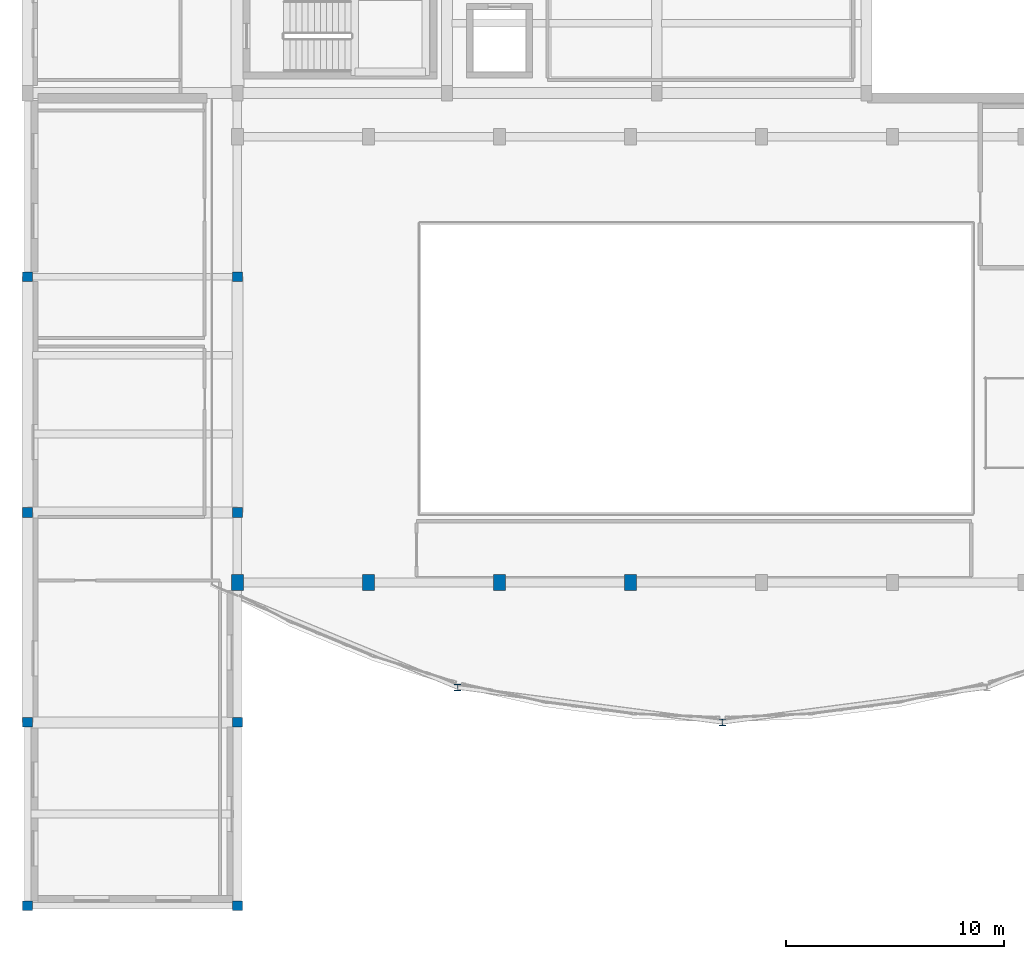
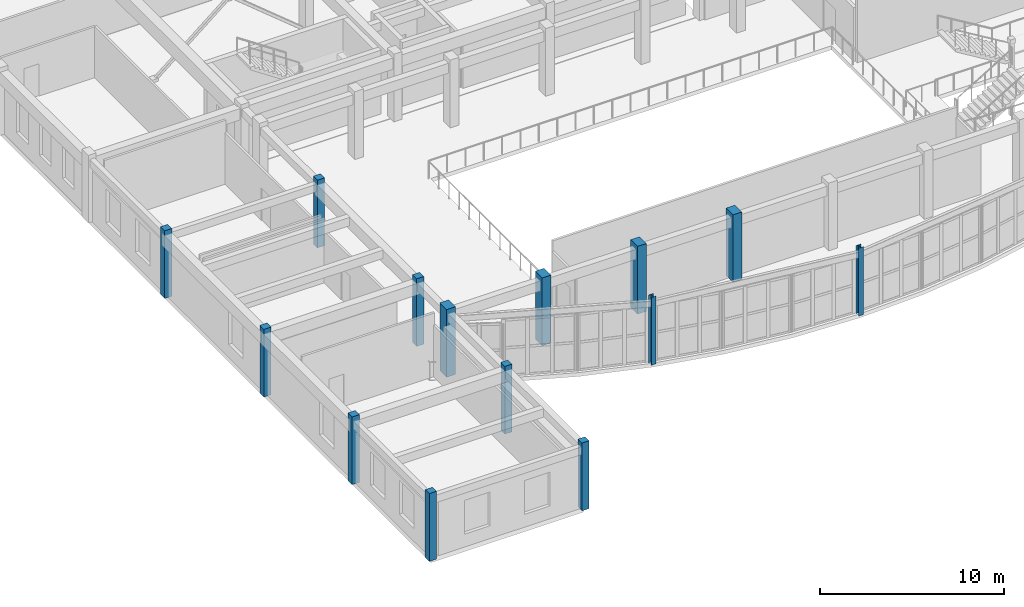
# One storey, part 1 of 92: 14 columns.
"""IFC4 building model written with IfcOpenShell, lengths in metres."""

from ifc_helpers import new_model, si_unit, direction, frame, origin, origin_2d, place, context, subcontext, project, spatial, rectangle, i_section, extrude, material, material_profile, profile_set, type_object, element, save


model = new_model("IFC4")

# Units and contexts
model_context = context("Model", 3, precision=1e-05, world=origin(), true_north=direction((0.0, 1.0)))
body_context = subcontext(model_context, "Body", "Model", "MODEL_VIEW")
ifc_project = project(units=[si_unit("LENGTHUNIT", "METRE"), si_unit("AREAUNIT", "SQUARE_METRE"), si_unit("VOLUMEUNIT", "CUBIC_METRE"), si_unit("PLANEANGLEUNIT", "RADIAN"), si_unit("MASSUNIT", "GRAM", prefix="KILO")], contexts=[model_context])

# Site, building, storey
site_placement = place(None, origin())
site = spatial("IfcSite", under=ifc_project, at=site_placement, CompositionType="ELEMENT")
building_placement = place(site_placement, origin())
building = spatial("IfcBuilding", under=site, at=building_placement, Name="Tarnavel Promenade Courthouse", CompositionType="ELEMENT")
storey_placement = place(building_placement, frame((0.0, 0.0, 5.39990234375)))
storey = spatial("IfcBuildingStorey", under=building, at=storey_placement, Name="L02", CompositionType="ELEMENT", Elevation=5.39990234375)

# Columns
ifc_material_1 = material(Name="Concrete C40/50", Category="concrete")
ifc_material_profile_1 = material_profile(ifc_material_1, rectangle(XDim=0.449951171875, YDim=0.449951171875, at=origin_2d()), Name="RC 450x450")
ifc_profile_set_1 = profile_set([ifc_material_profile_1], Name="Concrete C40/50")
column_type_1 = type_object("IfcColumnType", Name="Concrete C40/50 COL-RC450-PAV (RC 450x450)", PredefinedType="COLUMN", material=ifc_profile_set_1)
for number, where, z_axis, x_axis, name in (
    (1, (0.0, 0.0, 0.0), (0.0, 0.0, 1.0), (1.0, 0.0, 0.0), "L02 Structural Column 0616"),
    (2, (0.0, 8.39990234375, 0.0), (0.0, 0.0, 1.0), (1.0, 0.0, 0.0), "L02 Structural Column 0620"),
    (3, (0.0, 18.0, 0.0), (0.0, 0.0, 1.0), (1.0, 0.0, 0.0), "L02 Structural Column 0624"),
    (4, (0.0, 28.800048828125, 0.0), (0.0, 0.0, 1.0), (1.0, 0.0, 0.0), "L02 Structural Column 0628"),
    (5, (9.60009765625, 0.0, 0.0), (0.0, 0.0, 1.0), (1.0, 0.0, 0.0), "L02 Structural Column 0632"),
    (6, (9.60009765625, 8.39990234375, 0.0), (0.0, 0.0, 1.0), (1.0, 0.0, 0.0), "L02 Structural Column 0636"),
    (7, (9.60009765625, 18.0, 0.0), (0.0, 0.0, 1.0), (1.0, 0.0, 0.0), "L02 Structural Column 0640"),
    (8, (9.60009765625, 28.800048828125, 0.0), (0.0, 0.0, 1.0), (1.0, 0.0, 0.0), "L02 Structural Column 0644"),
):
    element("IfcColumn", number, at=place(storey_placement, frame(where, z_axis=z_axis, x_axis=x_axis)), inside=storey, type_object=column_type_1, Name=name, PredefinedType="COLUMN", context=body_context, shape_type="SweptSolid", body=[
        extrude(rectangle(XDim=0.449951171875, YDim=0.449951171875, at=origin_2d()), origin(), (0.0, 0.0, 1.0), 4.5),
    ])
ifc_material_profile_2 = material_profile(ifc_material_1, rectangle(XDim=0.550048828125, YDim=0.75, at=origin_2d()), Name="RC 550x750")
ifc_profile_set_2 = profile_set([ifc_material_profile_2], Name="Concrete C40/50")
column_type_2 = type_object("IfcColumnType", Name="Concrete C40/50 COL-RC550x750 (RC 550x750)", PredefinedType="COLUMN", material=ifc_profile_set_2)
for number, where, z_axis, x_axis, name in (
    (9, (9.60009765625, 14.800048828125, 0.0), (0.0, 0.0, 1.0), (1.0, 0.0, 0.0), "L02 Structural Column 0648"),
    (10, (15.60009765625, 14.800048828125, 0.0), (0.0, 0.0, 1.0), (1.0, 0.0, 0.0), "L02 Structural Column 0656"),
    (11, (21.60009765625, 14.800048828125, 0.0), (0.0, 0.0, 1.0), (1.0, 0.0, 0.0), "L02 Structural Column 0664"),
    (12, (27.60009765625, 14.800048828125, 0.0), (0.0, 0.0, 1.0), (1.0, 0.0, 0.0), "L02 Structural Column 0672"),
):
    element("IfcColumn", number, at=place(storey_placement, frame(where, z_axis=z_axis, x_axis=x_axis)), inside=storey, type_object=column_type_2, Name=name, PredefinedType="COLUMN", context=body_context, shape_type="SweptSolid", body=[
        extrude(rectangle(XDim=0.550048828125, YDim=0.75, at=origin_2d()), origin(), (0.0, 0.0, 1.0), 4.5),
    ])
ifc_material_2 = material(Name="Steel S355J2", Category="steel")
ifc_material_profile_3 = material_profile(ifc_material_2, i_section(OverallWidth=0.300048828125, OverallDepth=0.300048828125, WebThickness=0.010986328125, FlangeThickness=0.01904296875, FilletRadius=0.027099609375, at=origin_2d()), Name="HEB 300")
ifc_profile_set_3 = profile_set([ifc_material_profile_3], Name="Steel S355J2")
column_type_3 = type_object("IfcColumnType", Name="Steel S355J2 COL-STL-HEB300 (HEB 300)", PredefinedType="COLUMN", material=ifc_profile_set_3)
for number, where, z_axis, x_axis, name in (
    (13, (19.687255859375, 9.99462890625, 0.0), (0.0, 0.0, 1.0), (1.0, 0.0, 0.0), "L02 Structural Column 0712"),
    (14, (31.800048828125, 8.39990234375, 0.0), (0.0, 0.0, 1.0), (1.0, 0.0, 0.0), "L02 Structural Column 0716"),
):
    element("IfcColumn", number, at=place(storey_placement, frame(where, z_axis=z_axis, x_axis=x_axis)), inside=storey, type_object=column_type_3, Name=name, PredefinedType="COLUMN", context=body_context, shape_type="SweptSolid", body=[
        extrude(i_section(OverallWidth=0.300048828125, OverallDepth=0.300048828125, WebThickness=0.010986328125, FlangeThickness=0.01904296875, FilletRadius=0.027099609375, at=origin_2d()), origin(), (0.0, 0.0, 1.0), 4.5),
    ])

save(model, "model.ifc")
